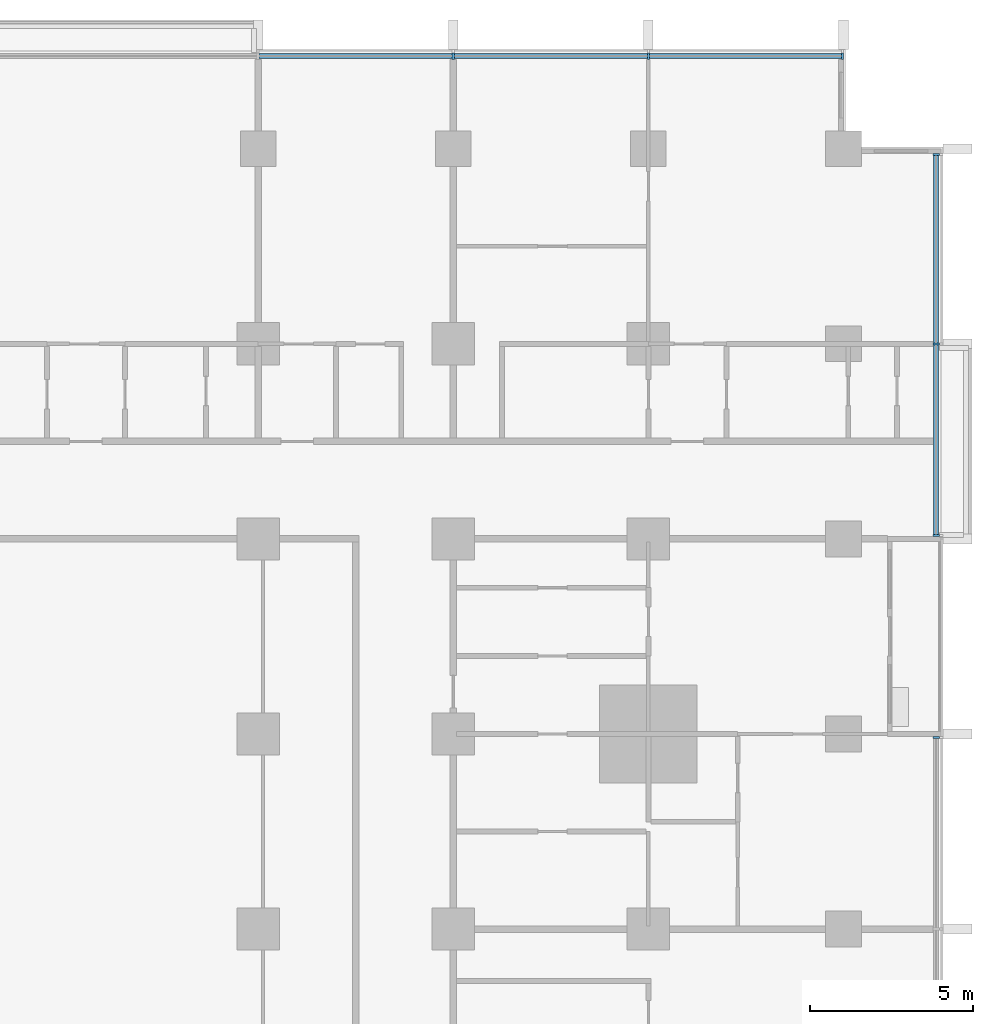
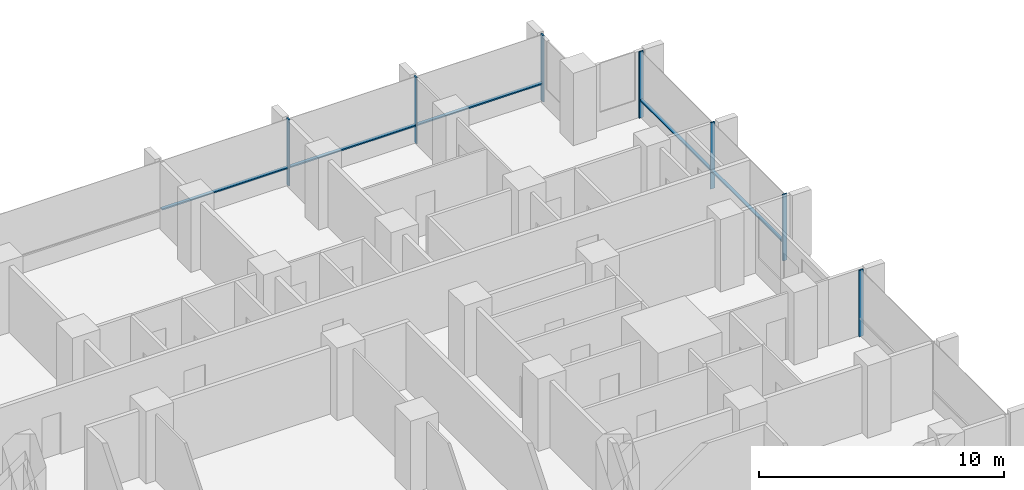
# One storey, part 5 of 18: 12 members, 3 elements without a shape of their own.
"""IFC4 building model written with IfcOpenShell, lengths in metres."""

from ifc_helpers import new_model, si_unit, direction, frame, origin, origin_2d, place, context, subcontext, project, spatial, rectangle, extrude, material, material_profile, profile_set, type_object, element, aggregate, save


model = new_model("IFC4")

# Units and contexts
model_context = context("Model", 3, precision=1e-05, world=origin(), true_north=direction((0.0, 1.0)))
body_context = subcontext(model_context, "Body", "Model", "MODEL_VIEW")
ifc_project = project(units=[si_unit("LENGTHUNIT", "METRE"), si_unit("AREAUNIT", "SQUARE_METRE"), si_unit("VOLUMEUNIT", "CUBIC_METRE"), si_unit("PLANEANGLEUNIT", "RADIAN"), si_unit("MASSUNIT", "GRAM", prefix="KILO")], contexts=[model_context])

# Site, building, storey
site_placement = place(None, origin())
site = spatial("IfcSite", under=ifc_project, at=site_placement, CompositionType="ELEMENT")
building_placement = place(site_placement, origin())
building = spatial("IfcBuilding", under=site, at=building_placement, Name="Finial Court Residences", CompositionType="ELEMENT")
storey_placement = place(building_placement, frame((0.0, 0.0, 36.10009765625)))
storey = spatial("IfcBuildingStorey", under=building, at=storey_placement, Name="L07", CompositionType="ELEMENT", Elevation=36.10009765625)

# Curtain wall, members
ifc_material = material(Name="Bronze anodised aluminium", Category="aluminium")
curtain_wall_type = type_object("IfcCurtainWallType", Name="Unitised curtain wall, lower and middle zones", PredefinedType="NOTDEFINED", material=ifc_material)
curtain_wall_1_placement = place(storey_placement, origin())
curtain_wall_1 = element("IfcCurtainWall", 1, at=curtain_wall_1_placement, inside=storey, type_object=curtain_wall_type, Name="E-L07-CW-N3", PredefinedType="NOTDEFINED")
ifc_material_profile_1 = material_profile(ifc_material, rectangle(XDim=0.199951171875, YDim=0.06494140625, at=origin_2d()), Name="CW1 mullion 65 x 200")
ifc_profile_set_1 = profile_set([ifc_material_profile_1], Name="Bronze anodised aluminium")
member_type_1 = type_object("IfcMemberType", Name="CW1 mullion 65 x 200", PredefinedType="MULLION", material=ifc_profile_set_1)
member_1_placement = place(storey_placement, frame((10.5, 28.35009765625, 0.0), z_axis=(0.0, 0.0, 1.0), x_axis=(0.0, 1.0, 0.0)))
member_1 = element("IfcMember", 2, at=member_1_placement, type_object=member_type_1, Name="CW1 mullion 3", PredefinedType="MULLION", context=body_context, shape_type="SweptSolid", body=[
    extrude(rectangle(XDim=0.199951171875, YDim=0.06494140625, at=origin_2d()), origin(), (0.0, 0.0, 1.0), 3.2998046875),
])
member_2_placement = place(storey_placement, frame((16.5, 28.35009765625, 0.0), z_axis=(0.0, 0.0, 1.0), x_axis=(0.0, 1.0, 0.0)))
member_2 = element("IfcMember", 3, at=member_2_placement, type_object=member_type_1, Name="CW1 mullion 4", PredefinedType="MULLION", context=body_context, shape_type="SweptSolid", body=[
    extrude(rectangle(XDim=0.199951171875, YDim=0.06494140625, at=origin_2d()), origin(), (0.0, 0.0, 1.0), 3.2998046875),
])
member_3_placement = place(storey_placement, frame((22.467529296875, 28.35009765625, 0.0), z_axis=(0.0, 0.0, 1.0), x_axis=(0.0, 1.0, 0.0)))
member_3 = element("IfcMember", 4, at=member_3_placement, type_object=member_type_1, Name="CW1 mullion 5", PredefinedType="MULLION", context=body_context, shape_type="SweptSolid", body=[
    extrude(rectangle(XDim=0.199951171875, YDim=0.06494140625, at=origin_2d()), origin(), (0.0, 0.0, 1.0), 3.2998046875),
])

# Curtain wall, member
curtain_wall_2_placement = place(storey_placement, origin())
curtain_wall_2 = element("IfcCurtainWall", 5, at=curtain_wall_2_placement, inside=storey, type_object=curtain_wall_type, Name="E-L07-CW-E6", PredefinedType="NOTDEFINED")
member_4_placement = place(storey_placement, frame((25.35009765625, 7.392578125, 0.0), z_axis=(0.0, 0.0, 1.0), x_axis=(-1.0, 0.0, 0.0)))
member_4 = element("IfcMember", 6, at=member_4_placement, type_object=member_type_1, Name="CW1 mullion 3", PredefinedType="MULLION", context=body_context, shape_type="SweptSolid", body=[
    extrude(rectangle(XDim=0.199951171875, YDim=0.06494140625, at=origin_2d()), origin(), (0.0, 0.0, 1.0), 3.2998046875),
])
aggregate(curtain_wall_2, [member_4])

# Curtain wall, members
curtain_wall_3_placement = place(storey_placement, origin())
curtain_wall_3 = element("IfcCurtainWall", 7, at=curtain_wall_3_placement, inside=storey, type_object=curtain_wall_type, Name="E-L07-CW-E7", PredefinedType="NOTDEFINED")
member_5_placement = place(storey_placement, frame((25.35009765625, 13.607421875, 0.0), z_axis=(0.0, 0.0, 1.0), x_axis=(-1.0, 0.0, 0.0)))
member_5 = element("IfcMember", 8, at=member_5_placement, type_object=member_type_1, Name="CW1 mullion 1", PredefinedType="MULLION", context=body_context, shape_type="SweptSolid", body=[
    extrude(rectangle(XDim=0.199951171875, YDim=0.06494140625, at=origin_2d()), origin(), (0.0, 0.0, 1.0), 3.2998046875),
])
member_6_placement = place(storey_placement, frame((25.35009765625, 19.5, 0.0), z_axis=(0.0, 0.0, 1.0), x_axis=(-1.0, 0.0, 0.0)))
member_6 = element("IfcMember", 9, at=member_6_placement, type_object=member_type_1, Name="CW1 mullion 2", PredefinedType="MULLION", context=body_context, shape_type="SweptSolid", body=[
    extrude(rectangle(XDim=0.199951171875, YDim=0.06494140625, at=origin_2d()), origin(), (0.0, 0.0, 1.0), 3.2998046875),
])
member_7_placement = place(storey_placement, frame((25.35009765625, 25.3173828125, 0.0), z_axis=(0.0, 0.0, 1.0), x_axis=(-1.0, 0.0, 0.0)))
member_7 = element("IfcMember", 10, at=member_7_placement, type_object=member_type_1, Name="CW1 mullion 3", PredefinedType="MULLION", context=body_context, shape_type="SweptSolid", body=[
    extrude(rectangle(XDim=0.199951171875, YDim=0.06494140625, at=origin_2d()), origin(), (0.0, 0.0, 1.0), 3.2998046875),
])

# Member
ifc_material_profile_2 = material_profile(ifc_material, rectangle(XDim=0.14990234375, YDim=0.06494140625, at=origin_2d()), Name="CW1 transom 65 x 150")
ifc_profile_set_2 = profile_set([ifc_material_profile_2], Name="Bronze anodised aluminium")
member_type_2 = type_object("IfcMemberType", Name="CW1 transom 65 x 150", PredefinedType="USERDEFINED", material=ifc_profile_set_2)
member_8_placement = place(storey_placement, frame((4.532470703125, 28.35009765625, 0.89990234375), z_axis=(1.0, 0.0, 0.0), x_axis=(0.0, 1.0, 0.0)))
member_8 = element("IfcMember", 11, at=member_8_placement, type_object=member_type_2, Name="CW1 transom 2.1", ObjectType="TRANSOM", PredefinedType="USERDEFINED", context=body_context, shape_type="SweptSolid", body=[
    extrude(rectangle(XDim=0.14990234375, YDim=0.06494140625, at=origin_2d()), origin(), (0.0, 0.0, 1.0), 5.93505859375),
])

member_9_placement = place(storey_placement, frame((10.532470703125, 28.35009765625, 0.89990234375), z_axis=(1.0, 0.0, 0.0), x_axis=(0.0, 1.0, 0.0)))
member_9 = element("IfcMember", 12, at=member_9_placement, type_object=member_type_2, Name="CW1 transom 3.1", ObjectType="TRANSOM", PredefinedType="USERDEFINED", context=body_context, shape_type="SweptSolid", body=[
    extrude(rectangle(XDim=0.14990234375, YDim=0.06494140625, at=origin_2d()), origin(), (0.0, 0.0, 1.0), 5.93505859375),
])

member_10_placement = place(storey_placement, frame((16.532470703125, 28.35009765625, 0.89990234375), z_axis=(1.0, 0.0, 0.0), x_axis=(0.0, 1.0, 0.0)))
member_10 = element("IfcMember", 13, at=member_10_placement, type_object=member_type_2, Name="CW1 transom 4.1", ObjectType="TRANSOM", PredefinedType="USERDEFINED", context=body_context, shape_type="SweptSolid", body=[
    extrude(rectangle(XDim=0.14990234375, YDim=0.06494140625, at=origin_2d()), origin(), (0.0, 0.0, 1.0), 5.902587890625),
])

aggregate(curtain_wall_1, [member_1, member_2, member_3, member_8, member_9, member_10])

member_11_placement = place(storey_placement, frame((25.35009765625, 13.639892578125, 0.89990234375), z_axis=(0.0, 1.0, 0.0), x_axis=(-1.0, 0.0, 0.0)))
member_11 = element("IfcMember", 14, at=member_11_placement, type_object=member_type_2, Name="CW1 transom 1.1", ObjectType="TRANSOM", PredefinedType="USERDEFINED", context=body_context, shape_type="SweptSolid", body=[
    extrude(rectangle(XDim=0.14990234375, YDim=0.06494140625, at=origin_2d()), origin(), (0.0, 0.0, 1.0), 5.82763671875),
])

member_12_placement = place(storey_placement, frame((25.35009765625, 19.532470703125, 0.89990234375), z_axis=(0.0, 1.0, 0.0), x_axis=(-1.0, 0.0, 0.0)))
member_12 = element("IfcMember", 15, at=member_12_placement, type_object=member_type_2, Name="CW1 transom 2.1", ObjectType="TRANSOM", PredefinedType="USERDEFINED", context=body_context, shape_type="SweptSolid", body=[
    extrude(rectangle(XDim=0.14990234375, YDim=0.06494140625, at=origin_2d()), origin(), (0.0, 0.0, 1.0), 5.75244140625),
])

aggregate(curtain_wall_3, [member_5, member_6, member_7, member_11, member_12])

save(model, "model.ifc")
